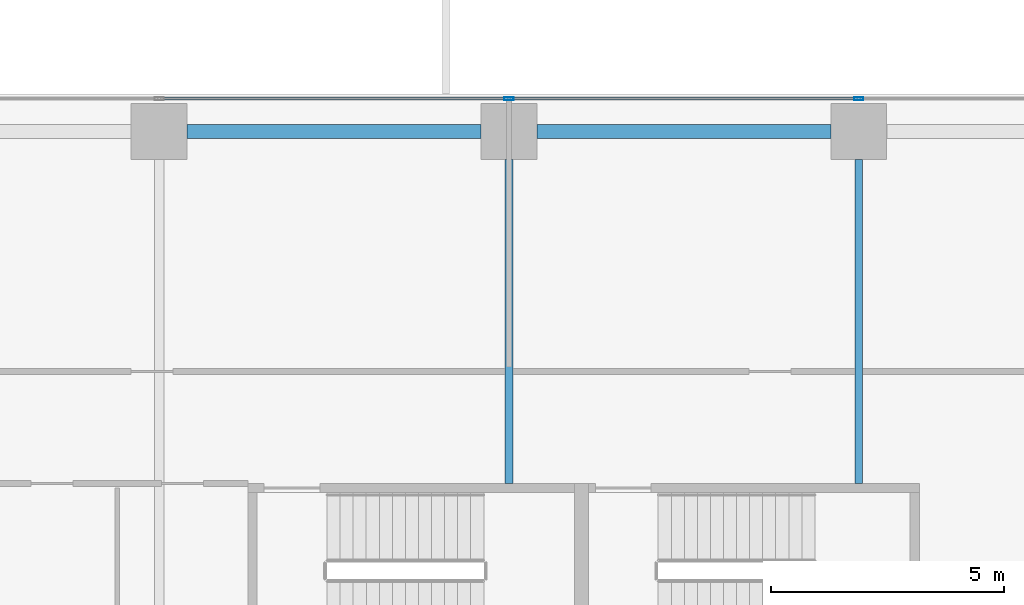
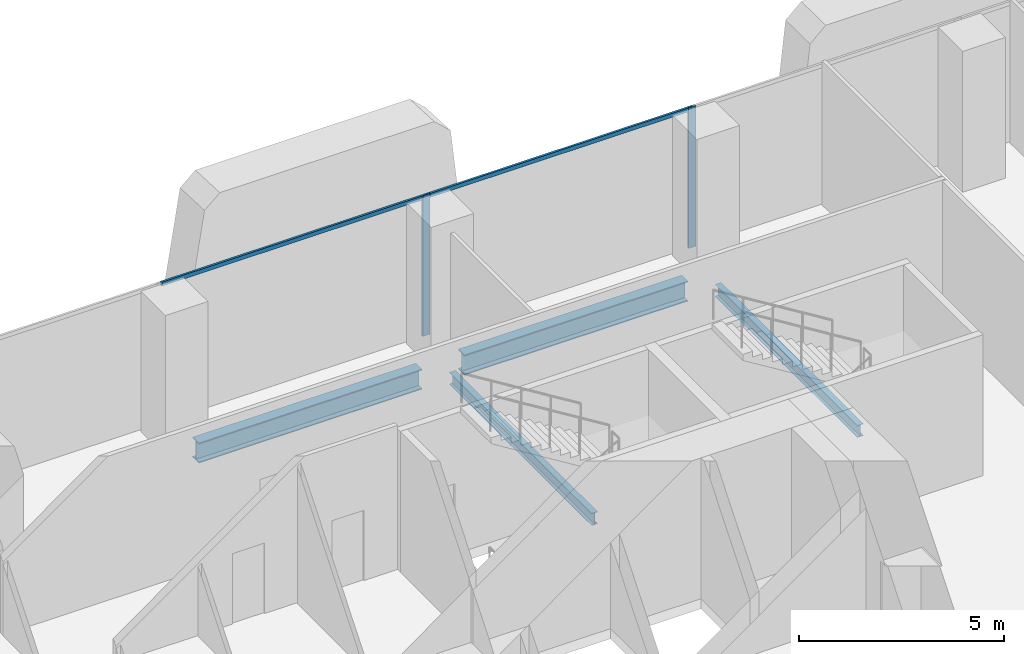
# One storey, part 15 of 35: 4 beams, 4 members, 1 element without a shape of its own.
"""IFC4 building model written with IfcOpenShell, lengths in metres."""

from ifc_helpers import new_model, si_unit, direction, frame, origin, origin_2d, place, context, subcontext, project, spatial, hollow_rectangle, i_section, extrude, source, transform, mapped, material, material_profile, profile_set, type_object, element, aggregate, save


model = new_model("IFC4")

# Units and contexts
model_context = context("Model", 3, precision=1e-05, world=origin(), true_north=direction((0.0, 1.0)))
body_context = subcontext(model_context, "Body", "Model", "MODEL_VIEW")
ifc_project = project(units=[si_unit("LENGTHUNIT", "METRE"), si_unit("AREAUNIT", "SQUARE_METRE"), si_unit("VOLUMEUNIT", "CUBIC_METRE"), si_unit("PLANEANGLEUNIT", "RADIAN"), si_unit("MASSUNIT", "GRAM", prefix="KILO")], contexts=[model_context])

# Site, building, storey
site_placement = place(None, origin())
site = spatial("IfcSite", under=ifc_project, at=site_placement, CompositionType="ELEMENT")
building_placement = place(site_placement, origin())
building = spatial("IfcBuilding", under=site, at=building_placement, Name="Khomas Fold Tower", CompositionType="ELEMENT")
storey_placement = place(building_placement, frame((0.0, 0.0, 69.0)))
storey = spatial("IfcBuildingStorey", under=building, at=storey_placement, Name="L14", CompositionType="ELEMENT", Elevation=69.0)

# Beams
ifc_material_1 = material(Name="Steel S355", Category="steel")
ifc_material_profile_1 = material_profile(ifc_material_1, i_section(OverallWidth=0.169921875, OverallDepth=0.360107421875, WebThickness=0.008056640625, FlangeThickness=0.0126953125, at=origin_2d()), Name="IPE 360")
ifc_profile_set_1 = profile_set([ifc_material_profile_1], Name="Steel S355")
beam_type_1 = type_object("IfcBeamType", Name="IPE 360 beam JB2", PredefinedType="BEAM", material=ifc_profile_set_1)
shared_shape_1 = source(origin(), body_context, "Body", "SweptSolid", [
    extrude(i_section(OverallWidth=0.169921875, OverallDepth=0.360107421875, WebThickness=0.008056640625, FlangeThickness=0.0126953125, at=origin_2d()), origin(), (0.0, 0.0, 1.0), 6.9501953125),
])
for number, where, z_axis, x_axis, name in (
    (1, (19.5, 45.64990234375, -0.47998046875), (0.0, 1.0, 0.0), (-1.0, 0.0, 0.0), "JB2"),
    (2, (27.0, 45.64990234375, -0.47998046875), (0.0, 1.0, 0.0), (-1.0, 0.0, 0.0), "JB2"),
):
    element("IfcBeam", number, at=place(storey_placement, frame(where, z_axis=z_axis, x_axis=x_axis)), inside=storey, type_object=beam_type_1, Name=name, PredefinedType="BEAM", context=body_context, shape_type="MappedRepresentation", body=[
        mapped(shared_shape_1, transform((0.0, 0.0, 0.0))),
    ])
ifc_material_2 = material(Name="Steel S355", Category="steel")
ifc_material_profile_2 = material_profile(ifc_material_2, i_section(OverallWidth=0.300048828125, OverallDepth=0.60009765625, WebThickness=0.015380859375, FlangeThickness=0.030029296875, at=origin_2d()), Name="HE 600 B")
ifc_profile_set_2 = profile_set([ifc_material_profile_2], Name="Steel S355")
beam_type_2 = type_object("IfcBeamType", Name="HE 600 B spandrel SB1", PredefinedType="SPANDREL", material=ifc_profile_set_2)
shared_shape_2 = source(origin(), body_context, "Body", "SweptSolid", [
    extrude(i_section(OverallWidth=0.300048828125, OverallDepth=0.60009765625, WebThickness=0.015380859375, FlangeThickness=0.030029296875, at=origin_2d()), origin(), (0.0, 0.0, 1.0), 6.2998046875),
])
for number, where, z_axis, x_axis, name in (
    (3, (20.10009765625, 53.199951171875, -0.60009765625), (1.0, 0.0, 0.0), (0.0, 1.0, 0.0), "SB1"),
    (4, (12.60009765625, 53.199951171875, -0.60009765625), (1.0, 0.0, 0.0), (0.0, 1.0, 0.0), "SB1"),
):
    element("IfcBeam", number, at=place(storey_placement, frame(where, z_axis=z_axis, x_axis=x_axis)), inside=storey, type_object=beam_type_2, Name=name, PredefinedType="SPANDREL", context=body_context, shape_type="MappedRepresentation", body=[
        mapped(shared_shape_2, transform((0.0, 0.0, 0.0))),
    ])

# Curtain wall, members
ifc_material_3 = material(Name="Aluminium framed double glazing", Category="aluminium")
curtain_wall_type = type_object("IfcCurtainWallType", Name="SK-Unitised clear-glass wall, growing floors CW1", PredefinedType="NOTDEFINED", material=ifc_material_3)
curtain_wall_placement = place(storey_placement, origin())
curtain_wall = element("IfcCurtainWall", 5, at=curtain_wall_placement, inside=storey, type_object=curtain_wall_type, Name="CW1 run L14 06-0", PredefinedType="NOTDEFINED")
ifc_material_4 = material(Name="Aluminium", Category="aluminium")
ifc_material_profile_3 = material_profile(ifc_material_4, hollow_rectangle(XDim=0.06005859375, YDim=0.1201171875, WallThickness=0.00390625, at=origin_2d()), Name="SK-Unitised clear-glass wall, growing floors transom CW1-T")
ifc_profile_set_3 = profile_set([ifc_material_profile_3], Name="Aluminium")
member_type_1 = type_object("IfcMemberType", Name="SK-Unitised clear-glass wall, growing floors transom CW1-T", PredefinedType="USERDEFINED", material=ifc_profile_set_3)
shared_shape_3 = source(origin(), body_context, "Body", "SweptSolid", [
    extrude(hollow_rectangle(XDim=0.06005859375, YDim=0.1201171875, WallThickness=0.00390625, at=origin_2d()), origin(), (0.0, 0.0, 1.0), 7.43994140625),
])
member_1_placement = place(storey_placement, frame((26.969970703125, 53.89990234375, 4.139892578125), z_axis=(-1.0, 0.0, 0.0), x_axis=(0.0, -1.0, 0.0)))
member_1 = element("IfcMember", 6, at=member_1_placement, type_object=member_type_1, Name="CW1 transom 5", ObjectType="TRANSOM", PredefinedType="USERDEFINED", context=body_context, shape_type="MappedRepresentation", body=[
    mapped(shared_shape_3, transform((0.0, 0.0, 0.0))),
])
member_2_placement = place(storey_placement, frame((19.469970703125, 53.89990234375, 4.139892578125), z_axis=(-1.0, 0.0, 0.0), x_axis=(0.0, -1.0, 0.0)))
member_2 = element("IfcMember", 7, at=member_2_placement, type_object=member_type_1, Name="CW1 transom 6", ObjectType="TRANSOM", PredefinedType="USERDEFINED", context=body_context, shape_type="MappedRepresentation", body=[
    mapped(shared_shape_3, transform((0.0, 0.0, 0.0))),
])
ifc_material_5 = material(Name="Aluminium", Category="aluminium")
ifc_material_profile_4 = material_profile(ifc_material_5, hollow_rectangle(XDim=0.06005859375, YDim=0.199951171875, WallThickness=0.00390625, at=origin_2d()), Name="SK-Unitised clear-glass wall, growing floors mullion CW1-M")
ifc_profile_set_4 = profile_set([ifc_material_profile_4], Name="Aluminium")
member_type_2 = type_object("IfcMemberType", Name="SK-Unitised clear-glass wall, growing floors mullion CW1-M", PredefinedType="MULLION", material=ifc_profile_set_4)
shared_shape_4 = source(origin(), body_context, "Body", "SweptSolid", [
    extrude(hollow_rectangle(XDim=0.06005859375, YDim=0.199951171875, WallThickness=0.00390625, at=origin_2d()), origin(), (0.0, 0.0, 1.0), 4.199951171875),
])
member_3_placement = place(storey_placement, frame((27.0, 53.89990234375, 0.0), z_axis=(0.0, 0.0, 1.0), x_axis=(0.0, -1.0, 0.0)))
member_3 = element("IfcMember", 8, at=member_3_placement, type_object=member_type_2, Name="CW1 mullion 5", PredefinedType="MULLION", context=body_context, shape_type="MappedRepresentation", body=[
    mapped(shared_shape_4, transform((0.0, 0.0, 0.0))),
])
member_4_placement = place(storey_placement, frame((19.5, 53.89990234375, 0.0), z_axis=(0.0, 0.0, 1.0), x_axis=(0.0, -1.0, 0.0)))
member_4 = element("IfcMember", 9, at=member_4_placement, type_object=member_type_2, Name="CW1 mullion 6", PredefinedType="MULLION", context=body_context, shape_type="MappedRepresentation", body=[
    mapped(shared_shape_4, transform((0.0, 0.0, 0.0))),
])
aggregate(curtain_wall, [member_3, member_4, member_1, member_2])

save(model, "model.ifc")
